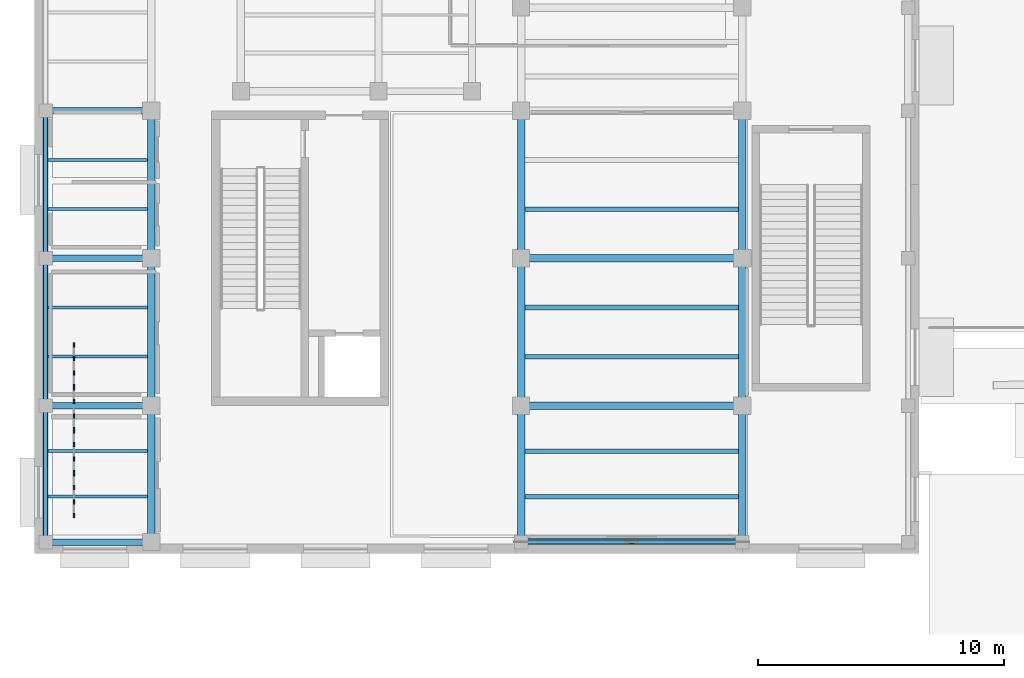
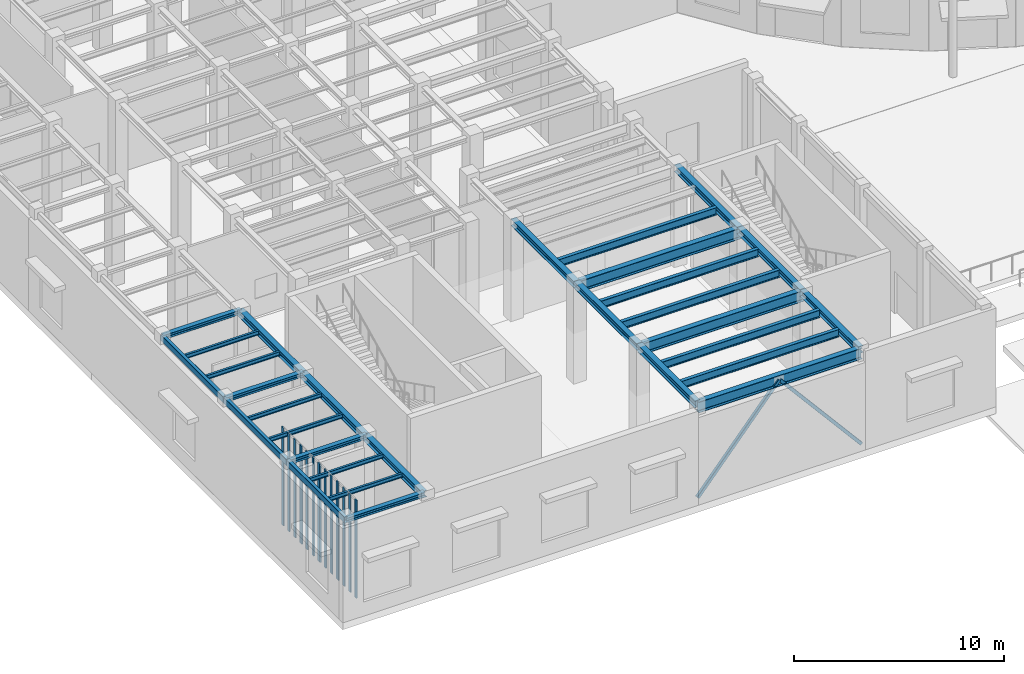
# One storey, part 18 of 118: 30 beams, 18 members, 4 elements without a shape of their own.
"""IFC4 building model written with IfcOpenShell, lengths in metres."""

from ifc_helpers import new_model, si_unit, direction, frame, origin, origin_2d, place, context, subcontext, project, spatial, rectangle, hollow_rectangle, i_section, extrude, material, material_profile, profile_set, type_object, element, aggregate, save


model = new_model("IFC4")

# Units and contexts
model_context = context("Model", 3, precision=1e-05, world=origin(), true_north=direction((0.0, 1.0)))
body_context = subcontext(model_context, "Body", "Model", "MODEL_VIEW")
ifc_project = project(units=[si_unit("LENGTHUNIT", "METRE"), si_unit("AREAUNIT", "SQUARE_METRE"), si_unit("VOLUMEUNIT", "CUBIC_METRE"), si_unit("PLANEANGLEUNIT", "RADIAN"), si_unit("MASSUNIT", "GRAM", prefix="KILO")], contexts=[model_context])

# Site, building, storey
site_placement = place(None, origin())
site = spatial("IfcSite", under=ifc_project, at=site_placement, CompositionType="ELEMENT")
building_placement = place(site_placement, origin())
building = spatial("IfcBuilding", under=site, at=building_placement, Name="Kolvaren Corner Interchange", CompositionType="ELEMENT")
storey_placement = place(building_placement, origin())
storey = spatial("IfcBuildingStorey", under=building, at=storey_placement, Name="L01", CompositionType="ELEMENT", Elevation=0.0)

# Beams
ifc_material_1 = material(Name="Steel S355", Category="steel")
ifc_material_profile_1 = material_profile(ifc_material_1, i_section(OverallWidth=0.260009765625, OverallDepth=0.25, WebThickness=0.007568359375, FlangeThickness=0.012451171875, FilletRadius=0.02392578125, at=origin_2d()), Name="HEA 260")
ifc_profile_set_1 = profile_set([ifc_material_profile_1], Name="Steel S355")
beam_type_1 = type_object("IfcBeamType", Name="BM-HEA260", PredefinedType="BEAM", material=ifc_profile_set_1)
for number, where, z_axis, x_axis, name in (
    (1, (0.449951171875, 0.449951171875, 5.625), (1.0, 0.0, 0.0), (0.0, 1.0, 0.0), "Storey L01 Grid X Primary Girder 0378"),
    (2, (0.449951171875, 6.0, 5.625), (1.0, 0.0, 0.0), (0.0, 1.0, 0.0), "Storey L01 Grid X Primary Girder 0380"),
    (3, (0.449951171875, 12.0, 5.625), (1.0, 0.0, 0.0), (0.0, 1.0, 0.0), "Storey L01 Grid X Primary Girder 0382"),
    (4, (0.449951171875, 18.0, 5.625), (1.0, 0.0, 0.0), (0.0, 1.0, 0.0), "Storey L01 Grid X Primary Girder 0387"),
):
    element("IfcBeam", number, at=place(storey_placement, frame(where, z_axis=z_axis, x_axis=x_axis)), inside=storey, type_object=beam_type_1, Name=name, PredefinedType="BEAM", context=body_context, shape_type="SweptSolid", body=[
        extrude(i_section(OverallWidth=0.260009765625, OverallDepth=0.25, WebThickness=0.007568359375, FlangeThickness=0.012451171875, FilletRadius=0.02392578125, at=origin_2d()), origin(), (0.0, 0.0, 1.0), 4.300048828125),
    ])
ifc_material_2 = material(Name="Steel S355", Category="steel")
ifc_material_profile_2 = material_profile(ifc_material_2, i_section(OverallWidth=0.300048828125, OverallDepth=0.389892578125, WebThickness=0.010986328125, FlangeThickness=0.01904296875, FilletRadius=0.027099609375, at=origin_2d()), Name="HEA 400")
ifc_profile_set_2 = profile_set([ifc_material_profile_2], Name="Steel S355")
beam_type_2 = type_object("IfcBeamType", Name="BM-HEA400", PredefinedType="BEAM", material=ifc_profile_set_2)
beam_1_placement = place(storey_placement, frame((4.75, 0.449951171875, 5.554931640625), z_axis=(0.0, 1.0, 0.0), x_axis=(-1.0, 0.0, 0.0)))
element("IfcBeam", 5, at=beam_1_placement, inside=storey, type_object=beam_type_2, Name="Storey L01 Grid Y Primary Girder 0462", PredefinedType="BEAM", context=body_context, shape_type="SweptSolid", body=[
    extrude(i_section(OverallWidth=0.300048828125, OverallDepth=0.389892578125, WebThickness=0.010986328125, FlangeThickness=0.01904296875, FilletRadius=0.027099609375, at=origin_2d()), origin(), (0.0, 0.0, 1.0), 5.550048828125),
])
for number, where, z_axis, x_axis, name in (
    (6, (4.75, 6.0, 5.554931640625), (0.0, 1.0, 0.0), (-1.0, 0.0, 0.0), "Storey L01 Grid Y Primary Girder 0463"),
    (7, (4.75, 12.0, 5.554931640625), (0.0, 1.0, 0.0), (-1.0, 0.0, 0.0), "Storey L01 Grid Y Primary Girder 0464"),
):
    element("IfcBeam", number, at=place(storey_placement, frame(where, z_axis=z_axis, x_axis=x_axis)), inside=storey, type_object=beam_type_2, Name=name, PredefinedType="BEAM", context=body_context, shape_type="SweptSolid", body=[
        extrude(i_section(OverallWidth=0.300048828125, OverallDepth=0.389892578125, WebThickness=0.010986328125, FlangeThickness=0.01904296875, FilletRadius=0.027099609375, at=origin_2d()), origin(), (0.0, 0.0, 1.0), 6.0),
    ])
beam_2_placement = place(storey_placement, frame((19.800048828125, 0.449951171875, 5.554931640625), z_axis=(0.0, 1.0, 0.0), x_axis=(-1.0, 0.0, 0.0)))
element("IfcBeam", 8, at=beam_2_placement, inside=storey, type_object=beam_type_2, Name="Storey L01 Grid Y Primary Girder 0478", PredefinedType="BEAM", context=body_context, shape_type="SweptSolid", body=[
    extrude(i_section(OverallWidth=0.300048828125, OverallDepth=0.389892578125, WebThickness=0.010986328125, FlangeThickness=0.01904296875, FilletRadius=0.027099609375, at=origin_2d()), origin(), (0.0, 0.0, 1.0), 5.550048828125),
])
for number, where, z_axis, x_axis, name in (
    (9, (19.800048828125, 6.0, 5.554931640625), (0.0, 1.0, 0.0), (-1.0, 0.0, 0.0), "Storey L01 Grid Y Primary Girder 0479"),
    (10, (19.800048828125, 12.0, 5.554931640625), (0.0, 1.0, 0.0), (-1.0, 0.0, 0.0), "Storey L01 Grid Y Primary Girder 0480"),
):
    element("IfcBeam", number, at=place(storey_placement, frame(where, z_axis=z_axis, x_axis=x_axis)), inside=storey, type_object=beam_type_2, Name=name, PredefinedType="BEAM", context=body_context, shape_type="SweptSolid", body=[
        extrude(i_section(OverallWidth=0.300048828125, OverallDepth=0.389892578125, WebThickness=0.010986328125, FlangeThickness=0.01904296875, FilletRadius=0.027099609375, at=origin_2d()), origin(), (0.0, 0.0, 1.0), 6.0),
    ])
beam_3_placement = place(storey_placement, frame((28.800048828125, 0.449951171875, 5.554931640625), z_axis=(0.0, 1.0, 0.0), x_axis=(-1.0, 0.0, 0.0)))
element("IfcBeam", 11, at=beam_3_placement, inside=storey, type_object=beam_type_2, Name="Storey L01 Grid Y Primary Girder 0484", PredefinedType="BEAM", context=body_context, shape_type="SweptSolid", body=[
    extrude(i_section(OverallWidth=0.300048828125, OverallDepth=0.389892578125, WebThickness=0.010986328125, FlangeThickness=0.01904296875, FilletRadius=0.027099609375, at=origin_2d()), origin(), (0.0, 0.0, 1.0), 5.550048828125),
])
for number, where, z_axis, x_axis, name in (
    (12, (28.800048828125, 6.0, 5.554931640625), (0.0, 1.0, 0.0), (-1.0, 0.0, 0.0), "Storey L01 Grid Y Primary Girder 0485"),
    (13, (28.800048828125, 12.0, 5.554931640625), (0.0, 1.0, 0.0), (-1.0, 0.0, 0.0), "Storey L01 Grid Y Primary Girder 0486"),
):
    element("IfcBeam", number, at=place(storey_placement, frame(where, z_axis=z_axis, x_axis=x_axis)), inside=storey, type_object=beam_type_2, Name=name, PredefinedType="BEAM", context=body_context, shape_type="SweptSolid", body=[
        extrude(i_section(OverallWidth=0.300048828125, OverallDepth=0.389892578125, WebThickness=0.010986328125, FlangeThickness=0.01904296875, FilletRadius=0.027099609375, at=origin_2d()), origin(), (0.0, 0.0, 1.0), 6.0),
    ])
ifc_material_3 = material(Name="Steel S355", Category="steel")
ifc_material_profile_3 = material_profile(ifc_material_3, i_section(OverallWidth=0.300048828125, OverallDepth=0.639892578125, WebThickness=0.013427734375, FlangeThickness=0.02587890625, FilletRadius=0.027099609375, at=origin_2d()), Name="HEA 650")
ifc_profile_set_3 = profile_set([ifc_material_profile_3], Name="Steel S355")
beam_type_3 = type_object("IfcBeamType", Name="BM-HEA650", PredefinedType="BEAM", material=ifc_profile_set_3)
for number, where, z_axis, x_axis, name in (
    (14, (19.800048828125, 0.449951171875, 5.429931640625), (1.0, 0.0, 0.0), (0.0, 1.0, 0.0), "Storey L01 Grid X Primary Girder 0379"),
    (15, (19.800048828125, 6.0, 5.429931640625), (1.0, 0.0, 0.0), (0.0, 1.0, 0.0), "Storey L01 Grid X Primary Girder 0381"),
    (16, (19.800048828125, 12.0, 5.429931640625), (1.0, 0.0, 0.0), (0.0, 1.0, 0.0), "Storey L01 Grid X Primary Girder 0383"),
):
    element("IfcBeam", number, at=place(storey_placement, frame(where, z_axis=z_axis, x_axis=x_axis)), inside=storey, type_object=beam_type_3, Name=name, PredefinedType="BEAM", context=body_context, shape_type="SweptSolid", body=[
        extrude(i_section(OverallWidth=0.300048828125, OverallDepth=0.639892578125, WebThickness=0.013427734375, FlangeThickness=0.02587890625, FilletRadius=0.027099609375, at=origin_2d()), origin(), (0.0, 0.0, 1.0), 9.0),
    ])
ifc_material_4 = material(Name="Steel S355", Category="steel")
ifc_material_profile_4 = material_profile(ifc_material_4, i_section(OverallWidth=0.1201171875, OverallDepth=0.239990234375, WebThickness=0.006103515625, FlangeThickness=0.009765625, FilletRadius=0.014892578125, at=origin_2d()), Name="IPE 240")
ifc_profile_set_4 = profile_set([ifc_material_profile_4], Name="Steel S355")
beam_type_4 = type_object("IfcBeamType", Name="JS-IPE240", PredefinedType="JOIST", material=ifc_profile_set_4)
for number, where, z_axis, x_axis, name in (
    (17, (0.550048828125, 2.300048828125, 5.6298828125), (1.0, 0.0, 0.0), (0.0, 1.0, 0.0), "Storey L01 Composite Floor Joist 0388"),
    (18, (0.550048828125, 4.14990234375, 5.6298828125), (1.0, 0.0, 0.0), (0.0, 1.0, 0.0), "Storey L01 Composite Floor Joist 0389"),
    (19, (0.550048828125, 8.0, 5.6298828125), (1.0, 0.0, 0.0), (0.0, 1.0, 0.0), "Storey L01 Composite Floor Joist 0390"),
    (20, (0.550048828125, 10.0, 5.6298828125), (1.0, 0.0, 0.0), (0.0, 1.0, 0.0), "Storey L01 Composite Floor Joist 0391"),
    (21, (0.550048828125, 14.0, 5.6298828125), (1.0, 0.0, 0.0), (0.0, 1.0, 0.0), "Storey L01 Composite Floor Joist 0392"),
    (22, (0.550048828125, 16.0, 5.6298828125), (1.0, 0.0, 0.0), (0.0, 1.0, 0.0), "Storey L01 Composite Floor Joist 0393"),
):
    element("IfcBeam", number, at=place(storey_placement, frame(where, z_axis=z_axis, x_axis=x_axis)), inside=storey, type_object=beam_type_4, Name=name, PredefinedType="JOIST", context=body_context, shape_type="SweptSolid", body=[
        extrude(i_section(OverallWidth=0.1201171875, OverallDepth=0.239990234375, WebThickness=0.006103515625, FlangeThickness=0.009765625, FilletRadius=0.014892578125, at=origin_2d()), origin(), (0.0, 0.0, 1.0), 4.050048828125),
    ])
ifc_material_5 = material(Name="Steel S355", Category="steel")
ifc_material_profile_5 = material_profile(ifc_material_5, i_section(OverallWidth=0.18994140625, OverallDepth=0.449951171875, WebThickness=0.009521484375, FlangeThickness=0.0146484375, FilletRadius=0.02099609375, at=origin_2d()), Name="IPE 450")
ifc_profile_set_5 = profile_set([ifc_material_profile_5], Name="Steel S355")
beam_type_5 = type_object("IfcBeamType", Name="JS-IPE450", PredefinedType="JOIST", material=ifc_profile_set_5)
for number, where, z_axis, x_axis, name in (
    (23, (19.949951171875, 2.300048828125, 5.52490234375), (1.0, 0.0, 0.0), (0.0, 1.0, 0.0), "Storey L01 Composite Floor Joist 0423"),
    (24, (19.949951171875, 4.14990234375, 5.52490234375), (1.0, 0.0, 0.0), (0.0, 1.0, 0.0), "Storey L01 Composite Floor Joist 0424"),
    (25, (19.949951171875, 8.0, 5.52490234375), (1.0, 0.0, 0.0), (0.0, 1.0, 0.0), "Storey L01 Composite Floor Joist 0425"),
    (26, (19.949951171875, 10.0, 5.52490234375), (1.0, 0.0, 0.0), (0.0, 1.0, 0.0), "Storey L01 Composite Floor Joist 0426"),
    (27, (19.949951171875, 14.0, 5.52490234375), (1.0, 0.0, 0.0), (0.0, 1.0, 0.0), "Storey L01 Composite Floor Joist 0427"),
):
    element("IfcBeam", number, at=place(storey_placement, frame(where, z_axis=z_axis, x_axis=x_axis)), inside=storey, type_object=beam_type_5, Name=name, PredefinedType="JOIST", context=body_context, shape_type="SweptSolid", body=[
        extrude(i_section(OverallWidth=0.18994140625, OverallDepth=0.449951171875, WebThickness=0.009521484375, FlangeThickness=0.0146484375, FilletRadius=0.02099609375, at=origin_2d()), origin(), (0.0, 0.0, 1.0), 8.699951171875),
    ])

# Members
ifc_material_6 = material(Name="Steel S355", Category="steel")
ifc_material_profile_6 = material_profile(ifc_material_6, hollow_rectangle(XDim=0.179931640625, YDim=0.179931640625, WallThickness=0.010009765625, InnerFilletRadius=0.010009765625, OuterFilletRadius=0.02001953125, at=origin_2d()), Name="SHS 180x180x10.0")
ifc_profile_set_6 = profile_set([ifc_material_profile_6], Name="Steel S355")
member_type_1 = type_object("IfcMemberType", Name="MEM-BR-SHS180", PredefinedType="BRACE", material=ifc_profile_set_6)
for number, where, z_axis, x_axis, name in (
    (28, (19.800048828125, 0.449951171875, 0.1201171875), (0.646534843959, 0.0, 0.762884457534), (0.0, 1.0, 0.0), "Storey L01 Lateral Chevron Steel Brace 01 Left"),
    (29, (28.800048828125, 0.449951171875, 0.1201171875), (-0.646534843959, 0.0, 0.762884457534), (0.0, -1.0, 0.0), "Storey L01 Lateral Chevron Steel Brace 01 Right"),
):
    element("IfcMember", number, at=place(storey_placement, frame(where, z_axis=z_axis, x_axis=x_axis)), inside=storey, type_object=member_type_1, Name=name, PredefinedType="BRACE", context=body_context, shape_type="SweptSolid", body=[
        extrude(hollow_rectangle(XDim=0.179931640625, YDim=0.179931640625, WallThickness=0.010009765625, InnerFilletRadius=0.010009765625, OuterFilletRadius=0.02001953125, at=origin_2d()), origin(), (0.0, 0.0, 1.0), 6.960205078125),
    ])

# Curtain wall, members
ifc_material_7 = material(Name="Unitised Aluminium and Solar-Control Glass Curtain Wall", Category="aluminium")
curtain_wall_type = type_object("IfcCurtainWallType", Name="CW-V5-LOGGIA", PredefinedType="NOTDEFINED", material=ifc_material_7)
curtain_wall_1_placement = place(storey_placement, origin())
curtain_wall_1 = element("IfcCurtainWall", 30, at=curtain_wall_1_placement, inside=storey, type_object=curtain_wall_type, Name="Corner Loggia L01 Curtain Wall Bay 01", PredefinedType="NOTDEFINED")
ifc_material_8 = material(Name="Anodised Aluminium Framing", Category="aluminium")
ifc_material_profile_7 = material_profile(ifc_material_8, rectangle(XDim=0.06005859375, YDim=0.179931640625, at=origin_2d()), Name="ALU 60x180")
ifc_profile_set_7 = profile_set([ifc_material_profile_7], Name="Anodised Aluminium Framing")
member_type_2 = type_object("IfcMemberType", Name="MUL-ALU60x180", PredefinedType="MULLION", material=ifc_profile_set_7)
member_1_placement = place(storey_placement, frame((1.60009765625, 1.530029296875, 0.0), z_axis=(0.0, 0.0, 1.0), x_axis=(-1.0, 0.0, 0.0)))
member_1 = element("IfcMember", 31, at=member_1_placement, type_object=member_type_2, Name="CW-150 mullion 1", PredefinedType="MULLION", context=body_context, shape_type="SweptSolid", body=[
    extrude(rectangle(XDim=0.06005859375, YDim=0.179931640625, at=origin_2d()), origin(), (0.0, 0.0, 1.0), 5.719970703125),
])
member_2_placement = place(storey_placement, frame((1.60009765625, 2.083251953125, 0.0), z_axis=(0.0, 0.0, 1.0), x_axis=(-1.0, 0.0, 0.0)))
member_2 = element("IfcMember", 32, at=member_2_placement, type_object=member_type_2, Name="CW-150 mullion 2", PredefinedType="MULLION", context=body_context, shape_type="SweptSolid", body=[
    extrude(rectangle(XDim=0.06005859375, YDim=0.179931640625, at=origin_2d()), origin(), (0.0, 0.0, 1.0), 5.719970703125),
])
member_3_placement = place(storey_placement, frame((1.60009765625, 2.666748046875, 0.0), z_axis=(0.0, 0.0, 1.0), x_axis=(-1.0, 0.0, 0.0)))
member_3 = element("IfcMember", 33, at=member_3_placement, type_object=member_type_2, Name="CW-150 mullion 3", PredefinedType="MULLION", context=body_context, shape_type="SweptSolid", body=[
    extrude(rectangle(XDim=0.06005859375, YDim=0.179931640625, at=origin_2d()), origin(), (0.0, 0.0, 1.0), 5.719970703125),
])
member_4_placement = place(storey_placement, frame((1.60009765625, 3.219970703125, 0.0), z_axis=(0.0, 0.0, 1.0), x_axis=(-1.0, 0.0, 0.0)))
member_4 = element("IfcMember", 34, at=member_4_placement, type_object=member_type_2, Name="CW-150 mullion 4", PredefinedType="MULLION", context=body_context, shape_type="SweptSolid", body=[
    extrude(rectangle(XDim=0.06005859375, YDim=0.179931640625, at=origin_2d()), origin(), (0.0, 0.0, 1.0), 5.719970703125),
])
aggregate(curtain_wall_1, [member_1, member_2, member_3, member_4])

curtain_wall_2_placement = place(storey_placement, origin())
curtain_wall_2 = element("IfcCurtainWall", 35, at=curtain_wall_2_placement, inside=storey, type_object=curtain_wall_type, Name="Corner Loggia L01 Curtain Wall Bay 02", PredefinedType="NOTDEFINED")
member_5_placement = place(storey_placement, frame((1.60009765625, 3.280029296875, 0.0), z_axis=(0.0, 0.0, 1.0), x_axis=(-1.0, 0.0, 0.0)))
member_5 = element("IfcMember", 36, at=member_5_placement, type_object=member_type_2, Name="CW-151 mullion 1", PredefinedType="MULLION", context=body_context, shape_type="SweptSolid", body=[
    extrude(rectangle(XDim=0.06005859375, YDim=0.179931640625, at=origin_2d()), origin(), (0.0, 0.0, 1.0), 5.719970703125),
])
member_6_placement = place(storey_placement, frame((1.60009765625, 3.833251953125, 0.0), z_axis=(0.0, 0.0, 1.0), x_axis=(-1.0, 0.0, 0.0)))
member_6 = element("IfcMember", 37, at=member_6_placement, type_object=member_type_2, Name="CW-151 mullion 2", PredefinedType="MULLION", context=body_context, shape_type="SweptSolid", body=[
    extrude(rectangle(XDim=0.06005859375, YDim=0.179931640625, at=origin_2d()), origin(), (0.0, 0.0, 1.0), 5.719970703125),
])
member_7_placement = place(storey_placement, frame((1.60009765625, 4.416748046875, 0.0), z_axis=(0.0, 0.0, 1.0), x_axis=(-1.0, 0.0, 0.0)))
member_7 = element("IfcMember", 38, at=member_7_placement, type_object=member_type_2, Name="CW-151 mullion 3", PredefinedType="MULLION", context=body_context, shape_type="SweptSolid", body=[
    extrude(rectangle(XDim=0.06005859375, YDim=0.179931640625, at=origin_2d()), origin(), (0.0, 0.0, 1.0), 5.719970703125),
])
member_8_placement = place(storey_placement, frame((1.60009765625, 4.969970703125, 0.0), z_axis=(0.0, 0.0, 1.0), x_axis=(-1.0, 0.0, 0.0)))
member_8 = element("IfcMember", 39, at=member_8_placement, type_object=member_type_2, Name="CW-151 mullion 4", PredefinedType="MULLION", context=body_context, shape_type="SweptSolid", body=[
    extrude(rectangle(XDim=0.06005859375, YDim=0.179931640625, at=origin_2d()), origin(), (0.0, 0.0, 1.0), 5.719970703125),
])
aggregate(curtain_wall_2, [member_5, member_6, member_7, member_8])

curtain_wall_3_placement = place(storey_placement, origin())
curtain_wall_3 = element("IfcCurtainWall", 40, at=curtain_wall_3_placement, inside=storey, type_object=curtain_wall_type, Name="Corner Loggia L01 Curtain Wall Bay 03", PredefinedType="NOTDEFINED")
member_9_placement = place(storey_placement, frame((1.60009765625, 5.030029296875, 0.0), z_axis=(0.0, 0.0, 1.0), x_axis=(-1.0, 0.0, 0.0)))
member_9 = element("IfcMember", 41, at=member_9_placement, type_object=member_type_2, Name="CW-152 mullion 1", PredefinedType="MULLION", context=body_context, shape_type="SweptSolid", body=[
    extrude(rectangle(XDim=0.06005859375, YDim=0.179931640625, at=origin_2d()), origin(), (0.0, 0.0, 1.0), 5.719970703125),
])
member_10_placement = place(storey_placement, frame((1.60009765625, 5.583251953125, 0.0), z_axis=(0.0, 0.0, 1.0), x_axis=(-1.0, 0.0, 0.0)))
member_10 = element("IfcMember", 42, at=member_10_placement, type_object=member_type_2, Name="CW-152 mullion 2", PredefinedType="MULLION", context=body_context, shape_type="SweptSolid", body=[
    extrude(rectangle(XDim=0.06005859375, YDim=0.179931640625, at=origin_2d()), origin(), (0.0, 0.0, 1.0), 5.719970703125),
])
member_11_placement = place(storey_placement, frame((1.60009765625, 6.166748046875, 0.0), z_axis=(0.0, 0.0, 1.0), x_axis=(-1.0, 0.0, 0.0)))
member_11 = element("IfcMember", 43, at=member_11_placement, type_object=member_type_2, Name="CW-152 mullion 3", PredefinedType="MULLION", context=body_context, shape_type="SweptSolid", body=[
    extrude(rectangle(XDim=0.06005859375, YDim=0.179931640625, at=origin_2d()), origin(), (0.0, 0.0, 1.0), 5.719970703125),
])
member_12_placement = place(storey_placement, frame((1.60009765625, 6.719970703125, 0.0), z_axis=(0.0, 0.0, 1.0), x_axis=(-1.0, 0.0, 0.0)))
member_12 = element("IfcMember", 44, at=member_12_placement, type_object=member_type_2, Name="CW-152 mullion 4", PredefinedType="MULLION", context=body_context, shape_type="SweptSolid", body=[
    extrude(rectangle(XDim=0.06005859375, YDim=0.179931640625, at=origin_2d()), origin(), (0.0, 0.0, 1.0), 5.719970703125),
])
aggregate(curtain_wall_3, [member_9, member_10, member_11, member_12])

curtain_wall_4_placement = place(storey_placement, origin())
curtain_wall_4 = element("IfcCurtainWall", 45, at=curtain_wall_4_placement, inside=storey, type_object=curtain_wall_type, Name="Corner Loggia L01 Curtain Wall Bay 04", PredefinedType="NOTDEFINED")
member_13_placement = place(storey_placement, frame((1.60009765625, 6.780029296875, 0.0), z_axis=(0.0, 0.0, 1.0), x_axis=(-1.0, 0.0, 0.0)))
member_13 = element("IfcMember", 46, at=member_13_placement, type_object=member_type_2, Name="CW-153 mullion 1", PredefinedType="MULLION", context=body_context, shape_type="SweptSolid", body=[
    extrude(rectangle(XDim=0.06005859375, YDim=0.179931640625, at=origin_2d()), origin(), (0.0, 0.0, 1.0), 5.719970703125),
])
member_14_placement = place(storey_placement, frame((1.60009765625, 7.333251953125, 0.0), z_axis=(0.0, 0.0, 1.0), x_axis=(-1.0, 0.0, 0.0)))
member_14 = element("IfcMember", 47, at=member_14_placement, type_object=member_type_2, Name="CW-153 mullion 2", PredefinedType="MULLION", context=body_context, shape_type="SweptSolid", body=[
    extrude(rectangle(XDim=0.06005859375, YDim=0.179931640625, at=origin_2d()), origin(), (0.0, 0.0, 1.0), 5.719970703125),
])
member_15_placement = place(storey_placement, frame((1.60009765625, 7.916748046875, 0.0), z_axis=(0.0, 0.0, 1.0), x_axis=(-1.0, 0.0, 0.0)))
member_15 = element("IfcMember", 48, at=member_15_placement, type_object=member_type_2, Name="CW-153 mullion 3", PredefinedType="MULLION", context=body_context, shape_type="SweptSolid", body=[
    extrude(rectangle(XDim=0.06005859375, YDim=0.179931640625, at=origin_2d()), origin(), (0.0, 0.0, 1.0), 5.719970703125),
])
member_16_placement = place(storey_placement, frame((1.60009765625, 8.469970703125, 0.0), z_axis=(0.0, 0.0, 1.0), x_axis=(-1.0, 0.0, 0.0)))
member_16 = element("IfcMember", 49, at=member_16_placement, type_object=member_type_2, Name="CW-153 mullion 4", PredefinedType="MULLION", context=body_context, shape_type="SweptSolid", body=[
    extrude(rectangle(XDim=0.06005859375, YDim=0.179931640625, at=origin_2d()), origin(), (0.0, 0.0, 1.0), 5.719970703125),
])
aggregate(curtain_wall_4, [member_13, member_14, member_15, member_16])

# Beams
ifc_material_9 = material(Name="Steel S355", Category="steel")
ifc_material_profile_8 = material_profile(ifc_material_9, hollow_rectangle(XDim=0.199951171875, YDim=0.35009765625, WallThickness=0.012451171875, InnerFilletRadius=0.012451171875, OuterFilletRadius=0.02490234375, at=origin_2d()), Name="RHS 350x200x12.5")
ifc_profile_set_8 = profile_set([ifc_material_profile_8], Name="Steel S355")
beam_type_6 = type_object("IfcBeamType", Name="SP-RHS350", PredefinedType="SPANDREL", material=ifc_profile_set_8)
beam_4_placement = place(storey_placement, frame((0.449951171875, 0.449951171875, 5.574951171875), z_axis=(0.0, 1.0, 0.0), x_axis=(-1.0, 0.0, 0.0)))
element("IfcBeam", 50, at=beam_4_placement, inside=storey, type_object=beam_type_6, Name="Storey L01 Grid Y Primary Girder 0448", PredefinedType="SPANDREL", context=body_context, shape_type="SweptSolid", body=[
    extrude(hollow_rectangle(XDim=0.199951171875, YDim=0.35009765625, WallThickness=0.012451171875, InnerFilletRadius=0.012451171875, OuterFilletRadius=0.02490234375, at=origin_2d()), origin(), (0.0, 0.0, 1.0), 5.550048828125),
])
for number, where, z_axis, x_axis, name in (
    (51, (0.449951171875, 6.0, 5.574951171875), (0.0, 1.0, 0.0), (-1.0, 0.0, 0.0), "Storey L01 Grid Y Primary Girder 0449"),
    (52, (0.449951171875, 12.0, 5.574951171875), (0.0, 1.0, 0.0), (-1.0, 0.0, 0.0), "Storey L01 Grid Y Primary Girder 0450"),
):
    element("IfcBeam", number, at=place(storey_placement, frame(where, z_axis=z_axis, x_axis=x_axis)), inside=storey, type_object=beam_type_6, Name=name, PredefinedType="SPANDREL", context=body_context, shape_type="SweptSolid", body=[
        extrude(hollow_rectangle(XDim=0.199951171875, YDim=0.35009765625, WallThickness=0.012451171875, InnerFilletRadius=0.012451171875, OuterFilletRadius=0.02490234375, at=origin_2d()), origin(), (0.0, 0.0, 1.0), 6.0),
    ])

save(model, "model.ifc")
